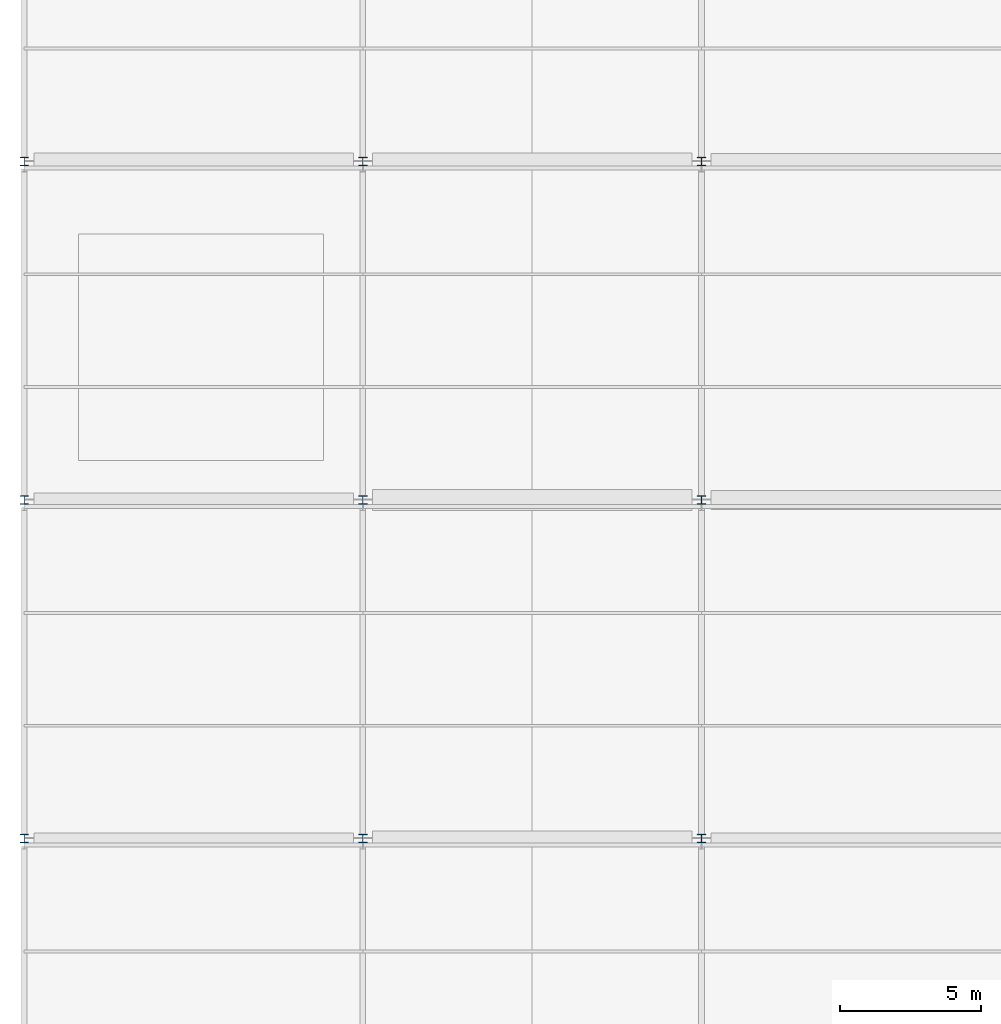
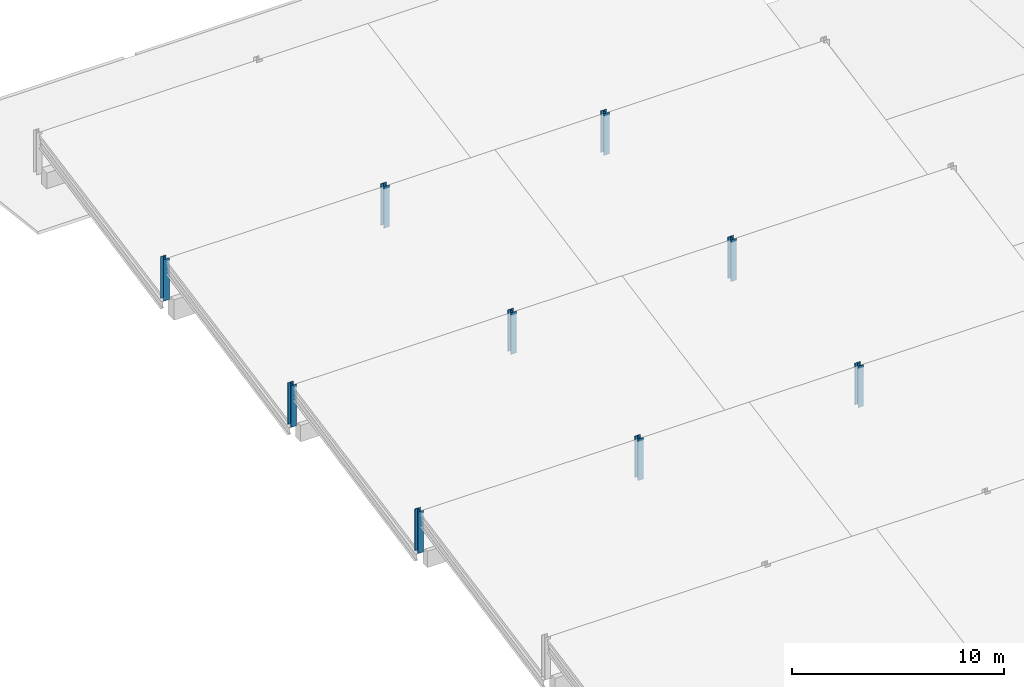
# One storey, part 3 of 23: 9 columns.
"""IFC4 building model written with IfcOpenShell, lengths in metres."""

from ifc_helpers import new_model, si_unit, direction, frame, origin, origin_2d, place, context, subcontext, project, spatial, i_section, extrude, material, material_profile, profile_set, type_object, element, save


model = new_model("IFC4")

# Units and contexts
model_context = context("Model", 3, precision=1e-05, world=origin(), true_north=direction((0.0, 1.0)))
body_context = subcontext(model_context, "Body", "Model", "MODEL_VIEW")
ifc_project = project(units=[si_unit("LENGTHUNIT", "METRE"), si_unit("AREAUNIT", "SQUARE_METRE"), si_unit("VOLUMEUNIT", "CUBIC_METRE"), si_unit("PLANEANGLEUNIT", "RADIAN"), si_unit("MASSUNIT", "GRAM", prefix="KILO")], contexts=[model_context])

# Site, building, storey
site_placement = place(None, origin())
site = spatial("IfcSite", under=ifc_project, at=site_placement, CompositionType="ELEMENT")
building_placement = place(site_placement, origin())
building = spatial("IfcBuilding", under=site, at=building_placement, Name="Kamomehara Wholesale Market", CompositionType="ELEMENT")
storey_placement = place(building_placement, frame((0.0, 0.0, 21.0)))
storey = spatial("IfcBuildingStorey", under=building, at=storey_placement, Name="RF", CompositionType="ELEMENT", Elevation=21.0)

# Columns
ifc_material_1 = material(Name="Steel SN490B", Category="steel")
ifc_material_profile_1 = material_profile(ifc_material_1, i_section(OverallWidth=0.300048828125, OverallDepth=0.300048828125, WebThickness=0.010009765625, FlangeThickness=0.014892578125, FilletRadius=0.012939453125, at=origin_2d()), Name="H-300x300x10x15")
ifc_profile_set_1 = profile_set([ifc_material_profile_1], Name="Steel SN490B")
column_type_1 = type_object("IfcColumnType", Name="COL-ST-H300", PredefinedType="COLUMN", material=ifc_profile_set_1)
for number, where, z_axis, x_axis, name in (
    (1, (12.0, 120.0, -4.800048828125), (0.0, 0.0, 1.0), (1.0, 0.0, 0.0), "Column CS-03 RF"),
    (2, (12.0, 132.0, -4.800048828125), (0.0, 0.0, 1.0), (1.0, 0.0, 0.0), "Column CS-03 RF"),
    (3, (24.0, 120.0, -4.800048828125), (0.0, 0.0, 1.0), (1.0, 0.0, 0.0), "Column CS-03 RF"),
    (4, (24.0, 132.0, -4.800048828125), (0.0, 0.0, 1.0), (1.0, 0.0, 0.0), "Column CS-03 RF"),
):
    element("IfcColumn", number, at=place(storey_placement, frame(where, z_axis=z_axis, x_axis=x_axis)), inside=storey, type_object=column_type_1, Name=name, PredefinedType="COLUMN", context=body_context, shape_type="SweptSolid", body=[
        extrude(i_section(OverallWidth=0.300048828125, OverallDepth=0.300048828125, WebThickness=0.010009765625, FlangeThickness=0.014892578125, FilletRadius=0.012939453125, at=origin_2d()), origin(), (0.0, 0.0, 1.0), 2.400146484375),
    ])
ifc_material_2 = material(Name="Steel SN490B", Category="steel")
ifc_material_profile_2 = material_profile(ifc_material_2, i_section(OverallWidth=0.300048828125, OverallDepth=0.300048828125, WebThickness=0.010009765625, FlangeThickness=0.014892578125, FilletRadius=0.012939453125, at=origin_2d()), Name="H-300x300x10x15")
ifc_profile_set_2 = profile_set([ifc_material_profile_2], Name="Steel SN490B")
column_type_2 = type_object("IfcColumnType", Name="COL-ST-H300-EXT", PredefinedType="COLUMN", material=ifc_profile_set_2)
for number, where, z_axis, x_axis, name in (
    (5, (0.0, 108.0, -4.800048828125), (0.0, 0.0, 1.0), (1.0, 0.0, 0.0), "Column CS-03E RF"),
    (6, (0.0, 120.0, -4.800048828125), (0.0, 0.0, 1.0), (1.0, 0.0, 0.0), "Column CS-03E RF"),
    (7, (0.0, 132.0, -4.800048828125), (0.0, 0.0, 1.0), (1.0, 0.0, 0.0), "Column CS-03E RF"),
    (8, (12.0, 108.0, -4.800048828125), (0.0, 0.0, 1.0), (1.0, 0.0, 0.0), "Column CS-03E RF"),
    (9, (24.0, 108.0, -4.800048828125), (0.0, 0.0, 1.0), (1.0, 0.0, 0.0), "Column CS-03E RF"),
):
    element("IfcColumn", number, at=place(storey_placement, frame(where, z_axis=z_axis, x_axis=x_axis)), inside=storey, type_object=column_type_2, Name=name, PredefinedType="COLUMN", context=body_context, shape_type="SweptSolid", body=[
        extrude(i_section(OverallWidth=0.300048828125, OverallDepth=0.300048828125, WebThickness=0.010009765625, FlangeThickness=0.014892578125, FilletRadius=0.012939453125, at=origin_2d()), origin(), (0.0, 0.0, 1.0), 2.400146484375),
    ])

save(model, "model.ifc")
